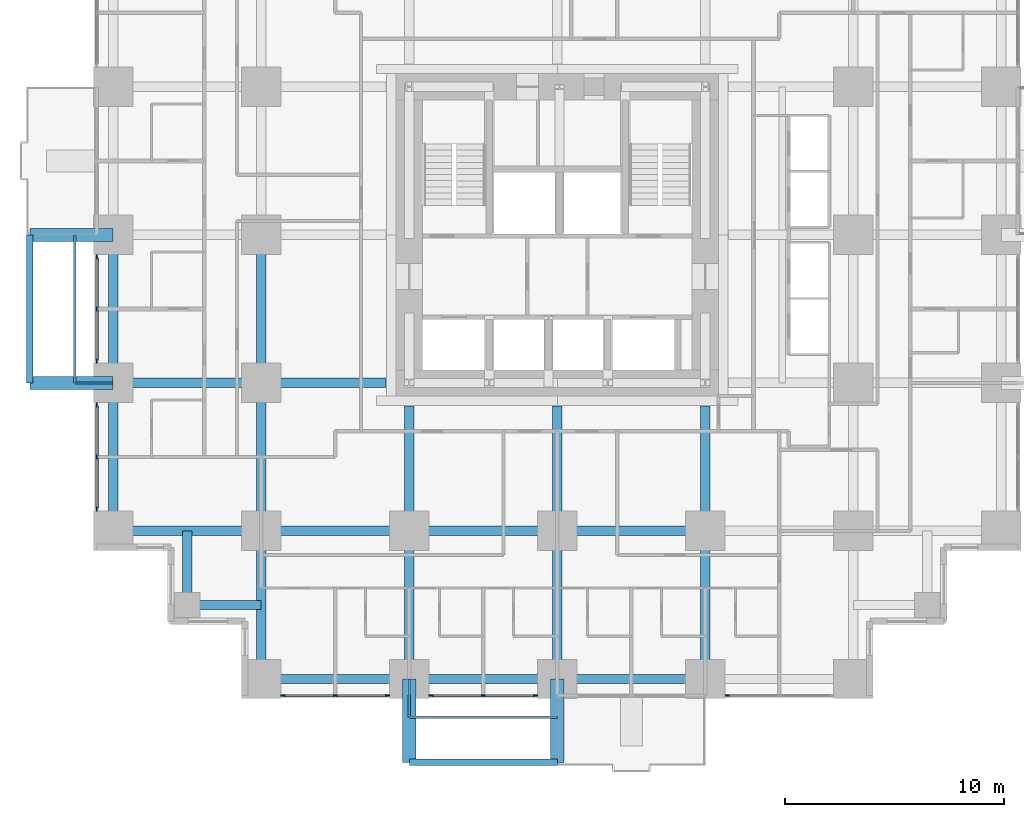
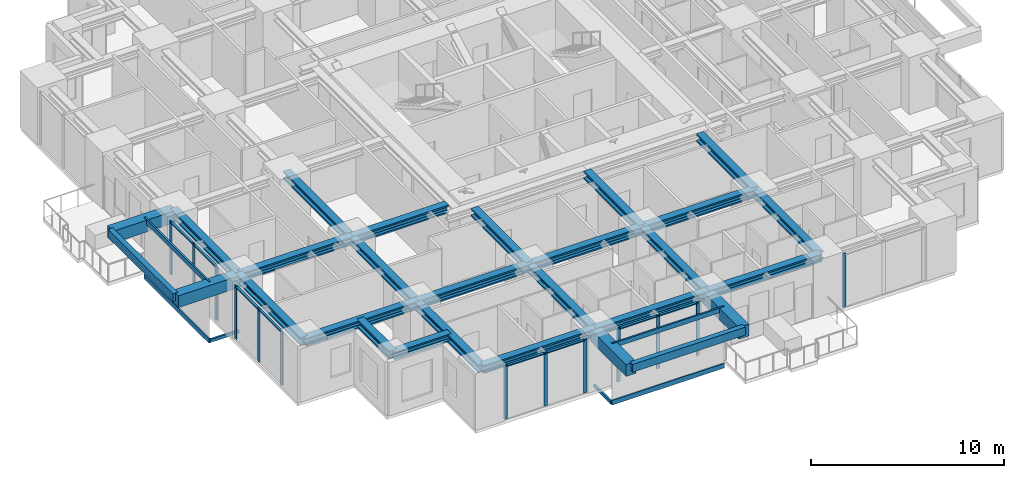
# One storey, part 2 of 14: 28 beams, 27 members, 5 elements without a shape of their own.
"""IFC4 building model written with IfcOpenShell, lengths in metres."""

from ifc_helpers import new_model, si_unit, direction, frame, origin, origin_2d, place, context, subcontext, project, spatial, rectangle, hollow_rectangle, i_section, extrude, material, material_profile, profile_set, type_object, element, aggregate, save


model = new_model("IFC4")

# Units and contexts
model_context = context("Model", 3, precision=1e-05, world=origin(), true_north=direction((0.0, 1.0)))
body_context = subcontext(model_context, "Body", "Model", "MODEL_VIEW")
ifc_project = project(units=[si_unit("LENGTHUNIT", "METRE"), si_unit("AREAUNIT", "SQUARE_METRE"), si_unit("VOLUMEUNIT", "CUBIC_METRE"), si_unit("PLANEANGLEUNIT", "RADIAN"), si_unit("MASSUNIT", "GRAM", prefix="KILO")], contexts=[model_context])

# Site, building, storey
site_placement = place(None, origin())
site = spatial("IfcSite", under=ifc_project, at=site_placement, CompositionType="ELEMENT")
building_placement = place(site_placement, origin())
building = spatial("IfcBuilding", under=site, at=building_placement, Name="Nyansa Garden Tower", CompositionType="ELEMENT")
storey_placement = place(building_placement, frame((0.0, 0.0, 64.800048828125)))
storey = spatial("IfcBuildingStorey", under=building, at=storey_placement, Name="L17", CompositionType="ELEMENT", Elevation=64.800048828125)

# Beams
ifc_material_1 = material(Name="Concrete C70/85", Category="concrete")
ifc_material_profile_1 = material_profile(ifc_material_1, rectangle(XDim=0.60009765625, YDim=0.75, at=origin_2d()), Name="RC 600x750")
ifc_profile_set_1 = profile_set([ifc_material_profile_1], Name="Concrete C70/85")
beam_type_1 = type_object("IfcBeamType", Name="Balcony cantilever beam CB1 RC 600x750", PredefinedType="BEAM", material=ifc_profile_set_1)
for number, where, z_axis, x_axis, name in (
    (1, (13.5, 0.0, 2.98486328125), (0.0, -1.0, 0.0), (1.0, 0.0, 0.0), "Balcony cantilever beam L18"),
    (2, (20.25, 0.0, 2.98486328125), (0.0, -1.0, 0.0), (1.0, 0.0, 0.0), "Balcony cantilever beam L18"),
    (3, (0.0, 13.5, 2.98486328125), (-1.0, 0.0, 0.0), (0.0, -1.0, 0.0), "Balcony cantilever beam L18"),
    (4, (0.0, 20.25, 2.98486328125), (-1.0, 0.0, 0.0), (0.0, -1.0, 0.0), "Balcony cantilever beam L18"),
):
    element("IfcBeam", number, at=place(storey_placement, frame(where, z_axis=z_axis, x_axis=x_axis)), inside=storey, type_object=beam_type_1, Name=name, PredefinedType="BEAM", context=body_context, shape_type="SweptSolid", body=[
        extrude(rectangle(XDim=0.60009765625, YDim=0.75, at=origin_2d()), origin(), (0.0, 0.0, 1.0), 3.800048828125),
    ])
ifc_material_2 = material(Name="Concrete C70/85", Category="concrete")
ifc_material_profile_2 = material_profile(ifc_material_2, rectangle(XDim=0.300048828125, YDim=0.5, at=origin_2d()), Name="RC 300x500")
ifc_profile_set_2 = profile_set([ifc_material_profile_2], Name="Concrete C70/85")
beam_type_2 = type_object("IfcBeamType", Name="Balcony edge beam BE1 RC 300x500", PredefinedType="BEAM", material=ifc_profile_set_2)
for number, where, z_axis, x_axis, name in (
    (5, (13.5, -3.800048828125, 3.10986328125), (1.0, 0.0, 0.0), (0.0, 1.0, 0.0), "Balcony edge beam L18"),
    (6, (-3.800048828125, 13.5, 3.10986328125), (0.0, 1.0, 0.0), (-1.0, 0.0, 0.0), "Balcony edge beam L18"),
):
    element("IfcBeam", number, at=place(storey_placement, frame(where, z_axis=z_axis, x_axis=x_axis)), inside=storey, type_object=beam_type_2, Name=name, PredefinedType="BEAM", context=body_context, shape_type="SweptSolid", body=[
        extrude(rectangle(XDim=0.300048828125, YDim=0.5, at=origin_2d()), origin(), (0.0, 0.0, 1.0), 6.75),
    ])

# Curtain wall, members
ifc_material_3 = material(Name="Black anodised aluminium, dark tinted double glazing", Category="aluminium")
curtain_wall_type = type_object("IfcCurtainWallType", Name="Inner skin curtain wall ISW-A", PredefinedType="USERDEFINED", material=ifc_material_3)
curtain_wall_1_placement = place(storey_placement, origin())
curtain_wall_1 = element("IfcCurtainWall", 7, at=curtain_wall_1_placement, inside=storey, type_object=curtain_wall_type, Name="Inner skin curtain wall L17 W", ObjectType="UNITISED CURTAIN WALL", PredefinedType="USERDEFINED")
ifc_material_4 = material(Name="Black anodised aluminium", Category="aluminium")
ifc_material_profile_3 = material_profile(ifc_material_4, rectangle(XDim=0.06494140625, YDim=0.199951171875, at=origin_2d()), Name="Mullion 200x65")
ifc_profile_set_3 = profile_set([ifc_material_profile_3], Name="Black anodised aluminium")
member_type_1 = type_object("IfcMemberType", Name="Mullion ISW-A 200x65", PredefinedType="MULLION", material=ifc_profile_set_3)
member_1_placement = place(storey_placement, frame((-0.75, 19.25, 0.0), z_axis=(0.0, 0.0, 1.0), x_axis=(1.0, 0.0, 0.0)))
member_1 = element("IfcMember", 8, at=member_1_placement, type_object=member_type_1, Name="ISW-A mullion 1", PredefinedType="MULLION", context=body_context, shape_type="SweptSolid", body=[
    extrude(rectangle(XDim=0.06494140625, YDim=0.199951171875, at=origin_2d()), origin(), (0.0, 0.0, 1.0), 3.375),
])
member_2_placement = place(storey_placement, frame((-0.75, 16.875, 0.0), z_axis=(0.0, 0.0, 1.0), x_axis=(1.0, 0.0, 0.0)))
member_2 = element("IfcMember", 9, at=member_2_placement, type_object=member_type_1, Name="ISW-A mullion 2", PredefinedType="MULLION", context=body_context, shape_type="SweptSolid", body=[
    extrude(rectangle(XDim=0.06494140625, YDim=0.199951171875, at=origin_2d()), origin(), (0.0, 0.0, 1.0), 3.375),
])
member_3_placement = place(storey_placement, frame((-0.75, 14.5, 0.0), z_axis=(0.0, 0.0, 1.0), x_axis=(1.0, 0.0, 0.0)))
member_3 = element("IfcMember", 10, at=member_3_placement, type_object=member_type_1, Name="ISW-A mullion 3", PredefinedType="MULLION", context=body_context, shape_type="SweptSolid", body=[
    extrude(rectangle(XDim=0.06494140625, YDim=0.199951171875, at=origin_2d()), origin(), (0.0, 0.0, 1.0), 3.375),
])

curtain_wall_2_placement = place(storey_placement, origin())
curtain_wall_2 = element("IfcCurtainWall", 11, at=curtain_wall_2_placement, inside=storey, type_object=curtain_wall_type, Name="Inner skin curtain wall L17 W", ObjectType="UNITISED CURTAIN WALL", PredefinedType="USERDEFINED")
member_4_placement = place(storey_placement, frame((-0.75, 12.5, 0.0), z_axis=(0.0, 0.0, 1.0), x_axis=(1.0, 0.0, 0.0)))
member_4 = element("IfcMember", 12, at=member_4_placement, type_object=member_type_1, Name="ISW-A mullion 1", PredefinedType="MULLION", context=body_context, shape_type="SweptSolid", body=[
    extrude(rectangle(XDim=0.06494140625, YDim=0.199951171875, at=origin_2d()), origin(), (0.0, 0.0, 1.0), 3.375),
])
member_5_placement = place(storey_placement, frame((-0.75, 10.125, 0.0), z_axis=(0.0, 0.0, 1.0), x_axis=(1.0, 0.0, 0.0)))
member_5 = element("IfcMember", 13, at=member_5_placement, type_object=member_type_1, Name="ISW-A mullion 2", PredefinedType="MULLION", context=body_context, shape_type="SweptSolid", body=[
    extrude(rectangle(XDim=0.06494140625, YDim=0.199951171875, at=origin_2d()), origin(), (0.0, 0.0, 1.0), 3.375),
])
member_6_placement = place(storey_placement, frame((-0.75, 7.75, 0.0), z_axis=(0.0, 0.0, 1.0), x_axis=(1.0, 0.0, 0.0)))
member_6 = element("IfcMember", 14, at=member_6_placement, type_object=member_type_1, Name="ISW-A mullion 3", PredefinedType="MULLION", context=body_context, shape_type="SweptSolid", body=[
    extrude(rectangle(XDim=0.06494140625, YDim=0.199951171875, at=origin_2d()), origin(), (0.0, 0.0, 1.0), 3.375),
])

curtain_wall_3_placement = place(storey_placement, origin())
curtain_wall_3 = element("IfcCurtainWall", 15, at=curtain_wall_3_placement, inside=storey, type_object=curtain_wall_type, Name="Inner skin curtain wall L17 S", ObjectType="UNITISED CURTAIN WALL", PredefinedType="USERDEFINED")
member_7_placement = place(storey_placement, frame((7.75, -0.75, 0.0), z_axis=(0.0, 0.0, 1.0), x_axis=(0.0, 1.0, 0.0)))
member_7 = element("IfcMember", 16, at=member_7_placement, type_object=member_type_1, Name="ISW-A mullion 1", PredefinedType="MULLION", context=body_context, shape_type="SweptSolid", body=[
    extrude(rectangle(XDim=0.06494140625, YDim=0.199951171875, at=origin_2d()), origin(), (0.0, 0.0, 1.0), 3.375),
])
member_8_placement = place(storey_placement, frame((10.125, -0.75, 0.0), z_axis=(0.0, 0.0, 1.0), x_axis=(0.0, 1.0, 0.0)))
member_8 = element("IfcMember", 17, at=member_8_placement, type_object=member_type_1, Name="ISW-A mullion 2", PredefinedType="MULLION", context=body_context, shape_type="SweptSolid", body=[
    extrude(rectangle(XDim=0.06494140625, YDim=0.199951171875, at=origin_2d()), origin(), (0.0, 0.0, 1.0), 3.375),
])
member_9_placement = place(storey_placement, frame((12.5, -0.75, 0.0), z_axis=(0.0, 0.0, 1.0), x_axis=(0.0, 1.0, 0.0)))
member_9 = element("IfcMember", 18, at=member_9_placement, type_object=member_type_1, Name="ISW-A mullion 3", PredefinedType="MULLION", context=body_context, shape_type="SweptSolid", body=[
    extrude(rectangle(XDim=0.06494140625, YDim=0.199951171875, at=origin_2d()), origin(), (0.0, 0.0, 1.0), 3.375),
])

curtain_wall_4_placement = place(storey_placement, origin())
curtain_wall_4 = element("IfcCurtainWall", 19, at=curtain_wall_4_placement, inside=storey, type_object=curtain_wall_type, Name="Inner skin curtain wall L17 S", ObjectType="UNITISED CURTAIN WALL", PredefinedType="USERDEFINED")
member_10_placement = place(storey_placement, frame((14.5, -0.75, 0.0), z_axis=(0.0, 0.0, 1.0), x_axis=(0.0, 1.0, 0.0)))
member_10 = element("IfcMember", 20, at=member_10_placement, type_object=member_type_1, Name="ISW-A mullion 1", PredefinedType="MULLION", context=body_context, shape_type="SweptSolid", body=[
    extrude(rectangle(XDim=0.06494140625, YDim=0.199951171875, at=origin_2d()), origin(), (0.0, 0.0, 1.0), 3.375),
])
member_11_placement = place(storey_placement, frame((16.875, -0.75, 0.0), z_axis=(0.0, 0.0, 1.0), x_axis=(0.0, 1.0, 0.0)))
member_11 = element("IfcMember", 21, at=member_11_placement, type_object=member_type_1, Name="ISW-A mullion 2", PredefinedType="MULLION", context=body_context, shape_type="SweptSolid", body=[
    extrude(rectangle(XDim=0.06494140625, YDim=0.199951171875, at=origin_2d()), origin(), (0.0, 0.0, 1.0), 3.375),
])
member_12_placement = place(storey_placement, frame((19.25, -0.75, 0.0), z_axis=(0.0, 0.0, 1.0), x_axis=(0.0, 1.0, 0.0)))
member_12 = element("IfcMember", 22, at=member_12_placement, type_object=member_type_1, Name="ISW-A mullion 3", PredefinedType="MULLION", context=body_context, shape_type="SweptSolid", body=[
    extrude(rectangle(XDim=0.06494140625, YDim=0.199951171875, at=origin_2d()), origin(), (0.0, 0.0, 1.0), 3.375),
])

# Curtain wall, member
curtain_wall_5_placement = place(storey_placement, origin())
curtain_wall_5 = element("IfcCurtainWall", 23, at=curtain_wall_5_placement, inside=storey, type_object=curtain_wall_type, Name="Inner skin curtain wall L17 S", ObjectType="UNITISED CURTAIN WALL", PredefinedType="USERDEFINED")
member_13_placement = place(storey_placement, frame((28.0, -0.75, 0.0), z_axis=(0.0, 0.0, 1.0), x_axis=(0.0, 1.0, 0.0)))
member_13 = element("IfcMember", 24, at=member_13_placement, type_object=member_type_1, Name="ISW-A mullion 1", PredefinedType="MULLION", context=body_context, shape_type="SweptSolid", body=[
    extrude(rectangle(XDim=0.06494140625, YDim=0.199951171875, at=origin_2d()), origin(), (0.0, 0.0, 1.0), 3.375),
])
aggregate(curtain_wall_5, [member_13])

# Members
ifc_material_5 = material(Name="Steel S355, black powder coated", Category="steel")
ifc_material_profile_4 = material_profile(ifc_material_5, hollow_rectangle(XDim=0.10009765625, YDim=0.199951171875, WallThickness=0.008056640625, at=origin_2d()), Name="RHS 200x100x8")
ifc_profile_set_4 = profile_set([ifc_material_profile_4], Name="Steel S355, black powder coated")
member_type_2 = type_object("IfcMemberType", Name="Outer skin bracket arm RHS 200x100x8", PredefinedType="USERDEFINED", material=ifc_profile_set_4)
for number, where, z_axis, x_axis, name in (
    (25, (0.0, 13.5, -0.375), (-1.0, 0.0, 0.0), (0.0, -1.0, 0.0), "Outer skin bracket arm"),
    (26, (13.5, 0.0, -0.375), (0.0, -1.0, 0.0), (1.0, 0.0, 0.0), "Outer skin bracket arm"),
):
    element("IfcMember", number, at=place(storey_placement, frame(where, z_axis=z_axis, x_axis=x_axis)), inside=storey, type_object=member_type_2, Name=name, ObjectType="OUTER SKIN BRACKET", PredefinedType="USERDEFINED", context=body_context, shape_type="SweptSolid", body=[
        extrude(hollow_rectangle(XDim=0.10009765625, YDim=0.199951171875, WallThickness=0.008056640625, at=origin_2d()), origin(), (0.0, 0.0, 1.0), 1.75),
    ])
ifc_material_6 = material(Name="Steel S355, black powder coated", Category="steel")
ifc_material_profile_5 = material_profile(ifc_material_6, hollow_rectangle(XDim=0.10009765625, YDim=0.300048828125, WallThickness=0.010009765625, at=origin_2d()), Name="RHS 300x100x10")
ifc_profile_set_5 = profile_set([ifc_material_profile_5], Name="Steel S355, black powder coated")
member_type_3 = type_object("IfcMemberType", Name="Outer skin rail RHS 300x100x10", PredefinedType="USERDEFINED", material=ifc_profile_set_5)
for number, where, z_axis, x_axis, name in (
    (27, (-1.75, 13.5, -0.375), (0.0, 1.0, 0.0), (-1.0, 0.0, 0.0), "Outer skin rail L17"),
    (28, (-1.75, 13.5, 3.224853515625), (0.0, 1.0, 0.0), (-1.0, 0.0, 0.0), "Outer skin rail L17 head"),
    (29, (13.5, -1.75, -0.375), (1.0, 0.0, 0.0), (0.0, 1.0, 0.0), "Outer skin rail L17"),
    (30, (13.5, -1.75, 3.224853515625), (1.0, 0.0, 0.0), (0.0, 1.0, 0.0), "Outer skin rail L17 head"),
):
    element("IfcMember", number, at=place(storey_placement, frame(where, z_axis=z_axis, x_axis=x_axis)), inside=storey, type_object=member_type_3, Name=name, ObjectType="OUTER SKIN RAIL", PredefinedType="USERDEFINED", context=body_context, shape_type="SweptSolid", body=[
        extrude(hollow_rectangle(XDim=0.10009765625, YDim=0.300048828125, WallThickness=0.010009765625, at=origin_2d()), origin(), (0.0, 0.0, 1.0), 6.75),
    ])

# Beams
ifc_material_7 = material(Name="Steel S355", Category="steel")
ifc_material_profile_6 = material_profile(ifc_material_7, i_section(OverallWidth=0.431884765625, OverallDepth=0.498046875, WebThickness=0.0556640625, FlangeThickness=0.0888671875, FilletRadius=0.014892578125, at=origin_2d()), Name="HD 400x744")
ifc_profile_set_6 = profile_set([ifc_material_profile_6], Name="Steel S355")
beam_type_3 = type_object("IfcBeamType", Name="Steel beam SBA1-744 HD 400x744", PredefinedType="BEAM", material=ifc_profile_set_6)
for number, where, z_axis, x_axis, name in (
    (31, (0.0, 6.75, 3.1259765625), (1.0, 0.0, 0.0), (0.0, 1.0, 0.0), "Steel beam 2/E-3/E L18"),
    (32, (0.0, 13.5, 3.1259765625), (1.0, 0.0, 0.0), (0.0, 1.0, 0.0), "Steel beam 2/F-3/F L18"),
    (33, (6.75, 0.0, 3.1259765625), (0.0, 1.0, 0.0), (-1.0, 0.0, 0.0), "Steel beam 3/D-3/E L18"),
    (34, (6.75, 6.75, 3.1259765625), (0.0, 1.0, 0.0), (-1.0, 0.0, 0.0), "Steel beam 3/E-3/F L18"),
    (35, (6.75, 6.75, 3.1259765625), (1.0, 0.0, 0.0), (0.0, 1.0, 0.0), "Steel beam 3/E-4/E L18"),
    (36, (6.75, 13.5, 3.1259765625), (0.0, 1.0, 0.0), (-1.0, 0.0, 0.0), "Steel beam 3/F-3/G L18"),
):
    element("IfcBeam", number, at=place(storey_placement, frame(where, z_axis=z_axis, x_axis=x_axis)), inside=storey, type_object=beam_type_3, Name=name, PredefinedType="BEAM", context=body_context, shape_type="SweptSolid", body=[
        extrude(i_section(OverallWidth=0.431884765625, OverallDepth=0.498046875, WebThickness=0.0556640625, FlangeThickness=0.0888671875, FilletRadius=0.014892578125, at=origin_2d()), origin(), (0.0, 0.0, 1.0), 6.75),
    ])
beam_1_placement = place(storey_placement, frame((6.75, 13.5, 3.1259765625), z_axis=(1.0, 0.0, 0.0), x_axis=(0.0, 1.0, 0.0)))
element("IfcBeam", 37, at=beam_1_placement, inside=storey, type_object=beam_type_3, Name="Steel beam 3/F-12.450/F L18", PredefinedType="BEAM", context=body_context, shape_type="SweptSolid", body=[
    extrude(i_section(OverallWidth=0.431884765625, OverallDepth=0.498046875, WebThickness=0.0556640625, FlangeThickness=0.0888671875, FilletRadius=0.014892578125, at=origin_2d()), origin(), (0.0, 0.0, 1.0), 5.699951171875),
])
beam_2_placement = place(storey_placement, frame((13.5, 0.0, 3.1259765625), z_axis=(0.0, 1.0, 0.0), x_axis=(-1.0, 0.0, 0.0)))
element("IfcBeam", 38, at=beam_2_placement, inside=storey, type_object=beam_type_3, Name="Steel beam 4/D-4/E L18", PredefinedType="BEAM", context=body_context, shape_type="SweptSolid", body=[
    extrude(i_section(OverallWidth=0.431884765625, OverallDepth=0.498046875, WebThickness=0.0556640625, FlangeThickness=0.0888671875, FilletRadius=0.014892578125, at=origin_2d()), origin(), (0.0, 0.0, 1.0), 6.75),
])
beam_3_placement = place(storey_placement, frame((13.5, 6.75, 3.1259765625), z_axis=(0.0, 1.0, 0.0), x_axis=(-1.0, 0.0, 0.0)))
element("IfcBeam", 39, at=beam_3_placement, inside=storey, type_object=beam_type_3, Name="Steel beam 4/E-4/12.450 L18", PredefinedType="BEAM", context=body_context, shape_type="SweptSolid", body=[
    extrude(i_section(OverallWidth=0.431884765625, OverallDepth=0.498046875, WebThickness=0.0556640625, FlangeThickness=0.0888671875, FilletRadius=0.014892578125, at=origin_2d()), origin(), (0.0, 0.0, 1.0), 5.699951171875),
])
for number, where, z_axis, x_axis, name in (
    (40, (13.5, 6.75, 3.1259765625), (1.0, 0.0, 0.0), (0.0, 1.0, 0.0), "Steel beam 4/E-5/E L18"),
    (41, (20.25, 0.0, 3.1259765625), (0.0, 1.0, 0.0), (-1.0, 0.0, 0.0), "Steel beam 5/D-5/E L18"),
):
    element("IfcBeam", number, at=place(storey_placement, frame(where, z_axis=z_axis, x_axis=x_axis)), inside=storey, type_object=beam_type_3, Name=name, PredefinedType="BEAM", context=body_context, shape_type="SweptSolid", body=[
        extrude(i_section(OverallWidth=0.431884765625, OverallDepth=0.498046875, WebThickness=0.0556640625, FlangeThickness=0.0888671875, FilletRadius=0.014892578125, at=origin_2d()), origin(), (0.0, 0.0, 1.0), 6.75),
    ])
beam_4_placement = place(storey_placement, frame((20.25, 6.75, 3.1259765625), z_axis=(0.0, 1.0, 0.0), x_axis=(-1.0, 0.0, 0.0)))
element("IfcBeam", 42, at=beam_4_placement, inside=storey, type_object=beam_type_3, Name="Steel beam 5/E-5/12.450 L18", PredefinedType="BEAM", context=body_context, shape_type="SweptSolid", body=[
    extrude(i_section(OverallWidth=0.431884765625, OverallDepth=0.498046875, WebThickness=0.0556640625, FlangeThickness=0.0888671875, FilletRadius=0.014892578125, at=origin_2d()), origin(), (0.0, 0.0, 1.0), 5.699951171875),
])
for number, where, z_axis, x_axis, name in (
    (43, (20.25, 6.75, 3.1259765625), (1.0, 0.0, 0.0), (0.0, 1.0, 0.0), "Steel beam 5/E-6/E L18"),
    (44, (27.0, 0.0, 3.1259765625), (0.0, 1.0, 0.0), (-1.0, 0.0, 0.0), "Steel beam 6/D-6/E L18"),
):
    element("IfcBeam", number, at=place(storey_placement, frame(where, z_axis=z_axis, x_axis=x_axis)), inside=storey, type_object=beam_type_3, Name=name, PredefinedType="BEAM", context=body_context, shape_type="SweptSolid", body=[
        extrude(i_section(OverallWidth=0.431884765625, OverallDepth=0.498046875, WebThickness=0.0556640625, FlangeThickness=0.0888671875, FilletRadius=0.014892578125, at=origin_2d()), origin(), (0.0, 0.0, 1.0), 6.75),
    ])
beam_5_placement = place(storey_placement, frame((27.0, 6.75, 3.1259765625), z_axis=(0.0, 1.0, 0.0), x_axis=(-1.0, 0.0, 0.0)))
element("IfcBeam", 45, at=beam_5_placement, inside=storey, type_object=beam_type_3, Name="Steel beam 6/E-6/12.450 L18", PredefinedType="BEAM", context=body_context, shape_type="SweptSolid", body=[
    extrude(i_section(OverallWidth=0.431884765625, OverallDepth=0.498046875, WebThickness=0.0556640625, FlangeThickness=0.0888671875, FilletRadius=0.014892578125, at=origin_2d()), origin(), (0.0, 0.0, 1.0), 5.699951171875),
])
ifc_material_8 = material(Name="Steel S355", Category="steel")
ifc_material_profile_7 = material_profile(ifc_material_8, i_section(OverallWidth=0.431884765625, OverallDepth=0.498046875, WebThickness=0.0556640625, FlangeThickness=0.0888671875, FilletRadius=0.014892578125, at=origin_2d()), Name="HD 400x744")
ifc_profile_set_7 = profile_set([ifc_material_profile_7], Name="Steel S355")
beam_type_4 = type_object("IfcBeamType", Name="Steel beam SEBA-744 HD 400x744", PredefinedType="BEAM", material=ifc_profile_set_7)
for number, where, z_axis, x_axis, name in (
    (46, (0.0, 6.75, 3.1259765625), (0.0, 1.0, 0.0), (-1.0, 0.0, 0.0), "Steel edge beam 2/E-2/F L18"),
    (47, (0.0, 13.5, 3.1259765625), (0.0, 1.0, 0.0), (-1.0, 0.0, 0.0), "Steel edge beam 2/F-2/G L18"),
    (48, (6.75, 0.0, 3.1259765625), (1.0, 0.0, 0.0), (0.0, 1.0, 0.0), "Steel edge beam 3/D-4/D L18"),
    (49, (13.5, 0.0, 3.1259765625), (1.0, 0.0, 0.0), (0.0, 1.0, 0.0), "Steel edge beam 4/D-5/D L18"),
    (50, (20.25, 0.0, 3.1259765625), (1.0, 0.0, 0.0), (0.0, 1.0, 0.0), "Steel edge beam 5/D-6/D L18"),
):
    element("IfcBeam", number, at=place(storey_placement, frame(where, z_axis=z_axis, x_axis=x_axis)), inside=storey, type_object=beam_type_4, Name=name, PredefinedType="BEAM", context=body_context, shape_type="SweptSolid", body=[
        extrude(i_section(OverallWidth=0.431884765625, OverallDepth=0.498046875, WebThickness=0.0556640625, FlangeThickness=0.0888671875, FilletRadius=0.014892578125, at=origin_2d()), origin(), (0.0, 0.0, 1.0), 6.75),
    ])
ifc_material_9 = material(Name="Steel S355", Category="steel")
ifc_material_profile_8 = material_profile(ifc_material_9, i_section(OverallWidth=0.431884765625, OverallDepth=0.498046875, WebThickness=0.0556640625, FlangeThickness=0.0888671875, FilletRadius=0.014892578125, at=origin_2d()), Name="HD 400x744")
ifc_profile_set_8 = profile_set([ifc_material_profile_8], Name="Steel S355")
beam_type_5 = type_object("IfcBeamType", Name="Steel beam SSB1-744 HD 400x744", PredefinedType="BEAM", material=ifc_profile_set_8)
for number, where, z_axis, x_axis, name in (
    (51, (3.375, 3.375, 3.1259765625), (0.0, 1.0, 0.0), (-1.0, 0.0, 0.0), "Steel step beam 3.375/3.375 L18"),
    (52, (3.375, 3.375, 3.1259765625), (1.0, 0.0, 0.0), (0.0, 1.0, 0.0), "Steel step beam 3.375/3.375 L18"),
):
    element("IfcBeam", number, at=place(storey_placement, frame(where, z_axis=z_axis, x_axis=x_axis)), inside=storey, type_object=beam_type_5, Name=name, PredefinedType="BEAM", context=body_context, shape_type="SweptSolid", body=[
        extrude(i_section(OverallWidth=0.431884765625, OverallDepth=0.498046875, WebThickness=0.0556640625, FlangeThickness=0.0888671875, FilletRadius=0.014892578125, at=origin_2d()), origin(), (0.0, 0.0, 1.0), 3.375),
    ])

# Member
ifc_material_10 = material(Name="Black anodised aluminium", Category="aluminium")
ifc_material_profile_9 = material_profile(ifc_material_10, rectangle(XDim=0.14990234375, YDim=0.06494140625, at=origin_2d()), Name="Transom 150x65")
ifc_profile_set_9 = profile_set([ifc_material_profile_9], Name="Black anodised aluminium")
member_type_4 = type_object("IfcMemberType", Name="Transom ISW-A 150x65", PredefinedType="USERDEFINED", material=ifc_profile_set_9)
member_14_placement = place(storey_placement, frame((-0.75, 19.217529296875, 3.342529296875), z_axis=(0.0, -1.0, 0.0), x_axis=(1.0, 0.0, 0.0)))
member_14 = element("IfcMember", 53, at=member_14_placement, type_object=member_type_4, Name="ISW-A transom 1", ObjectType="TRANSOM", PredefinedType="USERDEFINED", context=body_context, shape_type="SweptSolid", body=[
    extrude(rectangle(XDim=0.14990234375, YDim=0.06494140625, at=origin_2d()), origin(), (0.0, 0.0, 1.0), 2.31005859375),
])

member_15_placement = place(storey_placement, frame((-0.75, 16.842529296875, 3.342529296875), z_axis=(0.0, -1.0, 0.0), x_axis=(1.0, 0.0, 0.0)))
member_15 = element("IfcMember", 54, at=member_15_placement, type_object=member_type_4, Name="ISW-A transom 2", ObjectType="TRANSOM", PredefinedType="USERDEFINED", context=body_context, shape_type="SweptSolid", body=[
    extrude(rectangle(XDim=0.14990234375, YDim=0.06494140625, at=origin_2d()), origin(), (0.0, 0.0, 1.0), 2.31005859375),
])

aggregate(curtain_wall_1, [member_1, member_2, member_3, member_14, member_15])

member_16_placement = place(storey_placement, frame((-0.75, 12.467529296875, 3.342529296875), z_axis=(0.0, -1.0, 0.0), x_axis=(1.0, 0.0, 0.0)))
member_16 = element("IfcMember", 55, at=member_16_placement, type_object=member_type_4, Name="ISW-A transom 1", ObjectType="TRANSOM", PredefinedType="USERDEFINED", context=body_context, shape_type="SweptSolid", body=[
    extrude(rectangle(XDim=0.14990234375, YDim=0.06494140625, at=origin_2d()), origin(), (0.0, 0.0, 1.0), 2.31005859375),
])

member_17_placement = place(storey_placement, frame((-0.75, 10.092529296875, 3.342529296875), z_axis=(0.0, -1.0, 0.0), x_axis=(1.0, 0.0, 0.0)))
member_17 = element("IfcMember", 56, at=member_17_placement, type_object=member_type_4, Name="ISW-A transom 2", ObjectType="TRANSOM", PredefinedType="USERDEFINED", context=body_context, shape_type="SweptSolid", body=[
    extrude(rectangle(XDim=0.14990234375, YDim=0.06494140625, at=origin_2d()), origin(), (0.0, 0.0, 1.0), 2.31005859375),
])

aggregate(curtain_wall_2, [member_4, member_5, member_6, member_16, member_17])

member_18_placement = place(storey_placement, frame((7.782470703125, -0.75, 3.342529296875), z_axis=(1.0, 0.0, 0.0), x_axis=(0.0, 1.0, 0.0)))
member_18 = element("IfcMember", 57, at=member_18_placement, type_object=member_type_4, Name="ISW-A transom 1", ObjectType="TRANSOM", PredefinedType="USERDEFINED", context=body_context, shape_type="SweptSolid", body=[
    extrude(rectangle(XDim=0.14990234375, YDim=0.06494140625, at=origin_2d()), origin(), (0.0, 0.0, 1.0), 2.31005859375),
])

member_19_placement = place(storey_placement, frame((10.157470703125, -0.75, 3.342529296875), z_axis=(1.0, 0.0, 0.0), x_axis=(0.0, 1.0, 0.0)))
member_19 = element("IfcMember", 58, at=member_19_placement, type_object=member_type_4, Name="ISW-A transom 2", ObjectType="TRANSOM", PredefinedType="USERDEFINED", context=body_context, shape_type="SweptSolid", body=[
    extrude(rectangle(XDim=0.14990234375, YDim=0.06494140625, at=origin_2d()), origin(), (0.0, 0.0, 1.0), 2.31005859375),
])

aggregate(curtain_wall_3, [member_7, member_8, member_9, member_18, member_19])

member_20_placement = place(storey_placement, frame((14.532470703125, -0.75, 3.342529296875), z_axis=(1.0, 0.0, 0.0), x_axis=(0.0, 1.0, 0.0)))
member_20 = element("IfcMember", 59, at=member_20_placement, type_object=member_type_4, Name="ISW-A transom 1", ObjectType="TRANSOM", PredefinedType="USERDEFINED", context=body_context, shape_type="SweptSolid", body=[
    extrude(rectangle(XDim=0.14990234375, YDim=0.06494140625, at=origin_2d()), origin(), (0.0, 0.0, 1.0), 2.31005859375),
])

member_21_placement = place(storey_placement, frame((16.907470703125, -0.75, 3.342529296875), z_axis=(1.0, 0.0, 0.0), x_axis=(0.0, 1.0, 0.0)))
member_21 = element("IfcMember", 60, at=member_21_placement, type_object=member_type_4, Name="ISW-A transom 2", ObjectType="TRANSOM", PredefinedType="USERDEFINED", context=body_context, shape_type="SweptSolid", body=[
    extrude(rectangle(XDim=0.14990234375, YDim=0.06494140625, at=origin_2d()), origin(), (0.0, 0.0, 1.0), 2.31005859375),
])

aggregate(curtain_wall_4, [member_10, member_11, member_12, member_20, member_21])

save(model, "model.ifc")
